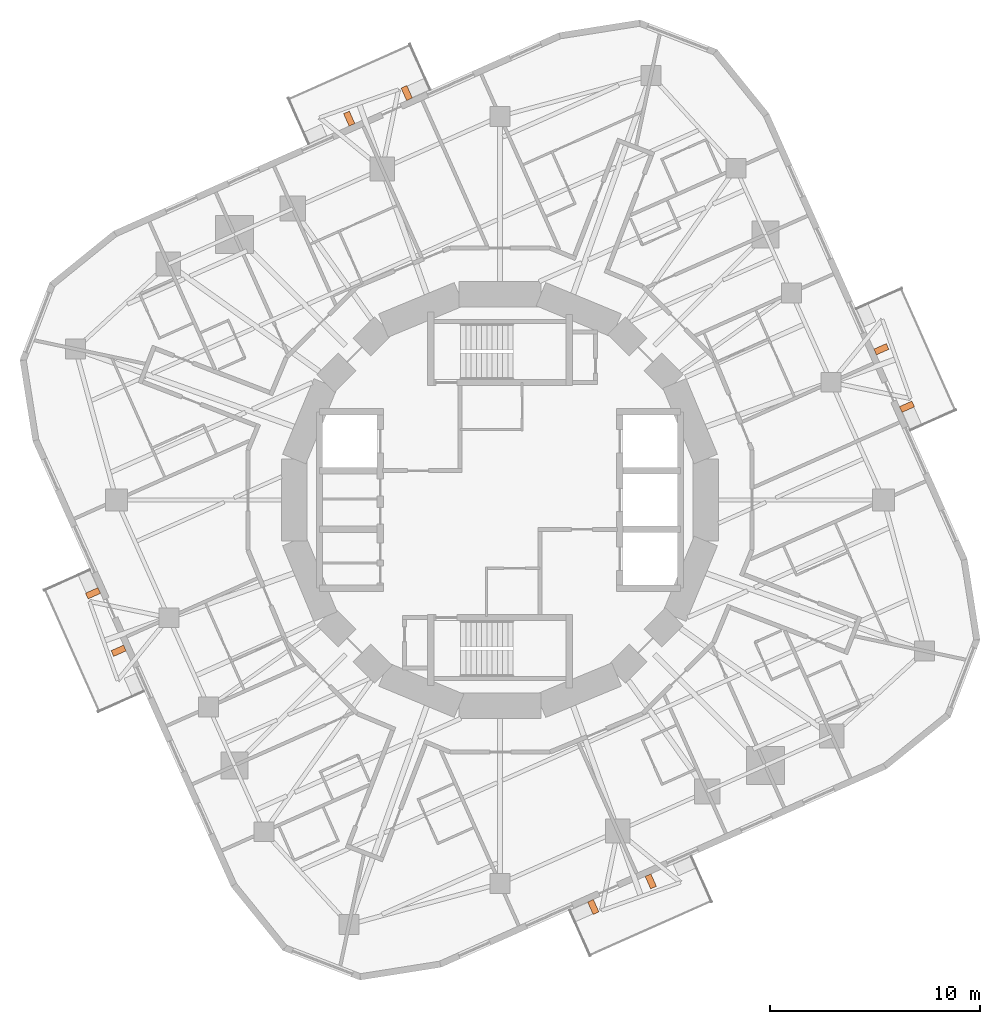
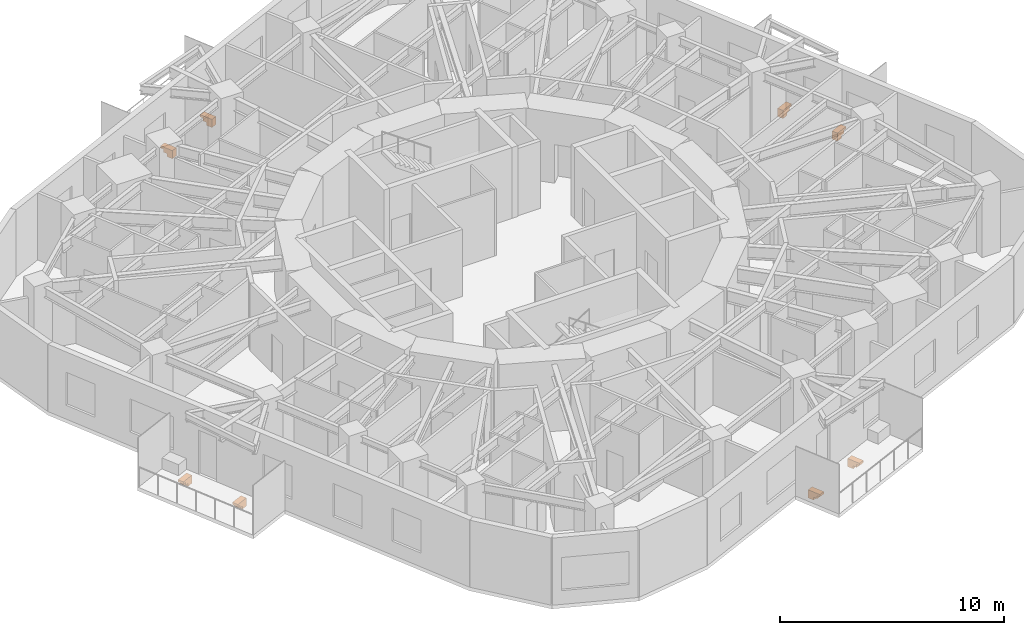
# One storey, part 12 of 12: 8 proxies.
"""IFC4 building model written with IfcOpenShell, lengths in metres."""

import ifcopenshell
import ifcopenshell.guid

model = None  # the IFC model being written
_history = None  # IfcOwnerHistory: only IFC2X3 demands one
_inside = {}  # id of a spatial element -> (the spatial element, [elements in it])
_under = {}  # id of a project, library or spatial element -> (it, [spatial elements below it])
_declared = {}  # id of a project -> (the project, [libraries it declares])
_typed = {}  # id of a type object -> (the type object, [elements of that type])
_made_of = {}  # id of a material, layer set ... -> (it, [elements and type objects made of it])


def new_model(schema):
    """Start an empty IFC model of exactly this schema.

    Asked for "IFC4X3", IfcOpenShell would pick the latest addendum, in which some entities
    have other attributes; the version numbers below select the first issue.
    IFC2X3 requires an IfcOwnerHistory on every rooted entity: one is made here for all.
    """
    global model, _history
    if schema == "IFC4X3":
        model = ifcopenshell.file(schema_version=(4, 3, 0, 0))
    else:
        model = ifcopenshell.file(schema=schema)
    _inside.clear()
    _under.clear()
    _declared.clear()
    _typed.clear()
    _made_of.clear()
    _history = None
    if model.schema == "IFC2X3":
        org = make("IfcOrganization", Name="unknown")
        user = make(
            "IfcPersonAndOrganization",
            ThePerson=make("IfcPerson", FamilyName="unknown"),
            TheOrganization=org,
        )
        app = make(
            "IfcApplication",
            ApplicationDeveloper=org,
            Version="unknown",
            ApplicationFullName="unknown",
            ApplicationIdentifier="unknown",
        )
        _history = make(
            "IfcOwnerHistory",
            OwningUser=user,
            OwningApplication=app,
            ChangeAction="ADDED",
            CreationDate=0,
        )
    return model


def make(cls, **values):
    """One entity of the class cls with the attributes given. An attribute that is None is left unset."""
    return model.create_entity(
        cls, **{name: value for name, value in values.items() if value is not None}
    )


def rooted(cls, **values):
    """An entity with a GlobalId (a new one), such as an element, a storey or a relation."""
    return make(cls, GlobalId=ifcopenshell.guid.new(), OwnerHistory=_history, **values)


def si_unit(unit_type, name, prefix=None):
    """IfcSIUnit, for example si_unit("LENGTHUNIT", "METRE", prefix="MILLI")."""
    return make("IfcSIUnit", UnitType=unit_type, Prefix=prefix, Name=name)


def assignment(units):
    """IfcUnitAssignment: the units of a project."""
    return None if units is None else make("IfcUnitAssignment", Units=units)


def point(xyz):
    """IfcCartesianPoint."""
    return None if xyz is None else make("IfcCartesianPoint", Coordinates=xyz)


def direction(xyz):
    """IfcDirection."""
    return None if xyz is None else make("IfcDirection", DirectionRatios=xyz)


def frame(location, z_axis=None, x_axis=None):
    """IfcAxis2Placement3D, a coordinate frame: its origin and axes. An axis left out is left unset."""
    return make(
        "IfcAxis2Placement3D",
        Location=point(location),
        Axis=direction(z_axis),
        RefDirection=direction(x_axis),
    )


def origin():
    """The frame at (0, 0, 0) with its axes left unset."""
    return frame((0.0, 0.0, 0.0))


def place(relative_to, where):
    """IfcLocalPlacement: puts the frame where relative to a parent placement (None: the world)."""
    return make(
        "IfcLocalPlacement", PlacementRelTo=relative_to, RelativePlacement=where
    )


def context(
    kind, dimensions, precision=None, world=None, true_north=None, identifier=None
):
    """IfcGeometricRepresentationContext, for example the 3D "Model" context."""
    return make(
        "IfcGeometricRepresentationContext",
        ContextIdentifier=identifier,
        ContextType=kind,
        CoordinateSpaceDimension=dimensions,
        Precision=precision,
        WorldCoordinateSystem=world,
        TrueNorth=true_north,
    )


def subcontext(parent, identifier, kind, view, scale=None):
    """IfcGeometricRepresentationSubContext, for example "Body" below "Model"."""
    return make(
        "IfcGeometricRepresentationSubContext",
        ContextIdentifier=identifier,
        ContextType=kind,
        ParentContext=parent,
        TargetScale=scale,
        TargetView=view,
    )


def project(units=None, contexts=None):
    """IfcProject with its units and contexts."""
    return rooted(
        "IfcProject",
        Name="project",
        RepresentationContexts=contexts,
        UnitsInContext=assignment(units),
    )


def spatial(cls, under=None, at=None, **own):
    """A site, building, storey or space (cls), placed at a placement, below another one or the project."""
    s = rooted(cls, ObjectPlacement=at, **own)
    if under is not None:
        _under.setdefault(under.id(), (under, []))[1].append(s)
    return s


def polyline(points):
    """IfcPolyline through the points."""
    return make("IfcPolyline", Points=[point(p) for p in points])


def outline(outer, holes=None, kind="AREA"):
    """IfcArbitraryClosedProfileDef: a profile drawn as a closed curve; with holes, ...WithVoids."""
    if holes is None:
        return make("IfcArbitraryClosedProfileDef", ProfileType=kind, OuterCurve=outer)
    return make(
        "IfcArbitraryProfileDefWithVoids",
        ProfileType=kind,
        OuterCurve=outer,
        InnerCurves=holes,
    )


def extrude(swept, where, along, depth):
    """IfcExtrudedAreaSolid: the profile swept, set in the frame where, extruded along a direction by depth."""
    return make(
        "IfcExtrudedAreaSolid",
        SweptArea=swept,
        Position=where,
        ExtrudedDirection=direction(along),
        Depth=depth,
    )


def shape(context_of_items, identifier, shape_type, items):
    """IfcShapeRepresentation: the items that make up one representation, for example the "Body"."""
    return make(
        "IfcShapeRepresentation",
        ContextOfItems=context_of_items,
        RepresentationIdentifier=identifier,
        RepresentationType=shape_type,
        Items=items,
    )


def material(Name=None, Category=None):
    """IfcMaterial."""
    return make("IfcMaterial", Name=Name, Category=Category)


def made_of(thing, what):
    """Note that an element or type object is made of a material, layer set ...; save() writes the relation."""
    if what is not None:
        _made_of.setdefault(what.id(), (what, []))[1].append(thing)
    return thing


def type_object(cls, material=None, **own):
    """A type object (cls), such as IfcWallType, which elements share."""
    return made_of(rooted(cls, **own), material)


def element(
    cls,
    number,
    at=None,
    inside=None,
    cuts=None,
    type_object=None,
    material=None,
    context=None,
    identifier="Body",
    shape_type=None,
    held_by="IfcProductDefinitionShape",
    body=None,
    shapes=None,
    **own,
):
    """One element of the class cls, such as IfcWall. Its Tag is "e" and its number.

    at: its placement. inside: the storey or other place that contains it. cuts: it is an
    opening in that element (IfcRelVoidsElement). A single representation is given by context,
    identifier, shape_type and body (its items); several are given by shapes. held_by: the class
    of the entity that holds the representations. save() writes the other relations.
    """
    e = rooted(cls, Tag="e%d" % number, ObjectPlacement=at, **own)
    if body is not None:
        shapes = [shape(context, identifier, shape_type, body)]
    if shapes is not None:
        e.Representation = make(held_by, Representations=shapes)
    if inside is not None:
        _inside.setdefault(inside.id(), (inside, []))[1].append(e)
    if cuts is not None:
        rooted(
            "IfcRelVoidsElement", RelatingBuildingElement=cuts, RelatedOpeningElement=e
        )
    if type_object is not None:
        _typed.setdefault(type_object.id(), (type_object, []))[1].append(e)
    return made_of(e, material)


def aggregate(whole, parts):
    """IfcRelAggregates: a whole, such as a stair, and the parts it consists of."""
    return rooted("IfcRelAggregates", RelatingObject=whole, RelatedObjects=parts)


def save(model, path):
    """Write the relations noted so far, then the file.

    IfcRelAggregates (storeys below a building ...), IfcRelContainedInSpatialStructure (elements
    in a storey), IfcRelDefinesByType, IfcRelAssociatesMaterial and IfcRelDeclares: one each for
    every whole, place, type object, material and project.
    """
    for whole, parts in _under.values():
        aggregate(whole, parts)
    for where, things in _inside.values():
        rooted(
            "IfcRelContainedInSpatialStructure",
            RelatedElements=things,
            RelatingStructure=where,
        )
    for kind, things in _typed.values():
        rooted("IfcRelDefinesByType", RelatedObjects=things, RelatingType=kind)
    for what, things in _made_of.values():
        rooted("IfcRelAssociatesMaterial", RelatedObjects=things, RelatingMaterial=what)
    for by, libraries in _declared.values():
        rooted("IfcRelDeclares", RelatingContext=by, RelatedDefinitions=libraries)
    model.write(path)


model = new_model("IFC4")

# Units and contexts
model_context = context("Model", 3, precision=1e-05, world=origin(), true_north=direction((0.0, 1.0)))
body_context = subcontext(model_context, "Body", "Model", "MODEL_VIEW")
ifc_project = project(units=[si_unit("LENGTHUNIT", "METRE"), si_unit("AREAUNIT", "SQUARE_METRE"), si_unit("VOLUMEUNIT", "CUBIC_METRE"), si_unit("PLANEANGLEUNIT", "RADIAN"), si_unit("MASSUNIT", "GRAM", prefix="KILO")], contexts=[model_context])

# Site, building, storey
site_placement = place(None, origin())
site = spatial("IfcSite", under=ifc_project, at=site_placement, CompositionType="ELEMENT")
building_placement = place(site_placement, origin())
building = spatial("IfcBuilding", under=site, at=building_placement, Name="Nakasero Lantern House", CompositionType="ELEMENT")
storey_placement = place(building_placement, frame((0.0, 0.0, 190.14990234375)))
storey = spatial("IfcBuildingStorey", under=building, at=storey_placement, Name="L46", CompositionType="ELEMENT", Elevation=190.14990234375)

# Proxies
ifc_material = material(Name="Concrete C40/50 precast", Category="concrete")
building_element_proxy_type = type_object("IfcBuildingElementProxyType", Name="Balcony bracket 300", PredefinedType="USERDEFINED", material=ifc_material)
for number, where, z_axis, x_axis, name in (
    (1, (19.097412109375, 4.311767578125, -0.199951171875), (0.0, 0.0, 1.0), (0.913545458, 0.406736643, 0.0), "Balcony bracket L46 0A"),
    (2, (17.877197265625, 7.052490234375, -0.199951171875), (0.0, 0.0, 1.0), (0.913545458, 0.406736643, 0.0), "Balcony bracket L46 0B"),
    (3, (-4.311767578125, 19.097412109375, -0.199951171875), (0.0, 0.0, 1.0), (-0.406736643, 0.913545458, 0.0), "Balcony bracket L46 1A"),
    (4, (-7.052490234375, 17.877197265625, -0.199951171875), (0.0, 0.0, 1.0), (-0.406736643, 0.913545458, 0.0), "Balcony bracket L46 1B"),
    (5, (-19.097412109375, -4.311767578125, -0.199951171875), (0.0, 0.0, 1.0), (-0.913545458, -0.406736643, 0.0), "Balcony bracket L46 2A"),
    (6, (-17.877197265625, -7.052490234375, -0.199951171875), (0.0, 0.0, 1.0), (-0.913545458, -0.406736643, 0.0), "Balcony bracket L46 2B"),
    (7, (4.311767578125, -19.097412109375, -0.199951171875), (0.0, 0.0, 1.0), (0.406736643, -0.913545458, 0.0), "Balcony bracket L46 3A"),
    (8, (7.052490234375, -17.877197265625, -0.199951171875), (0.0, 0.0, 1.0), (0.406736643, -0.913545458, 0.0), "Balcony bracket L46 3B"),
):
    element("IfcBuildingElementProxy", number, at=place(storey_placement, frame(where, z_axis=z_axis, x_axis=x_axis)), inside=storey, type_object=building_element_proxy_type, Name=name, ObjectType="BALCONY BRACKET", PredefinedType="USERDEFINED", context=body_context, shape_type="SweptSolid", body=[
        extrude(outline(polyline([(0.0, 0.0), (0.64990234375, 0.0), (0.64990234375, -0.1201171875), (0.5, -0.1201171875), (0.5, -0.280029296875), (0.300048828125, -0.280029296875), (0.300048828125, -0.43994140625), (0.0, -0.43994140625), (0.0, 0.0)])), frame((0.0, 0.14990234375, 0.0), z_axis=(0.0, -1.0, 0.0), x_axis=(1.0, 0.0, 0.0)), (0.0, 0.0, 1.0), 0.300048828125),
    ])

save(model, "model.ifc")
